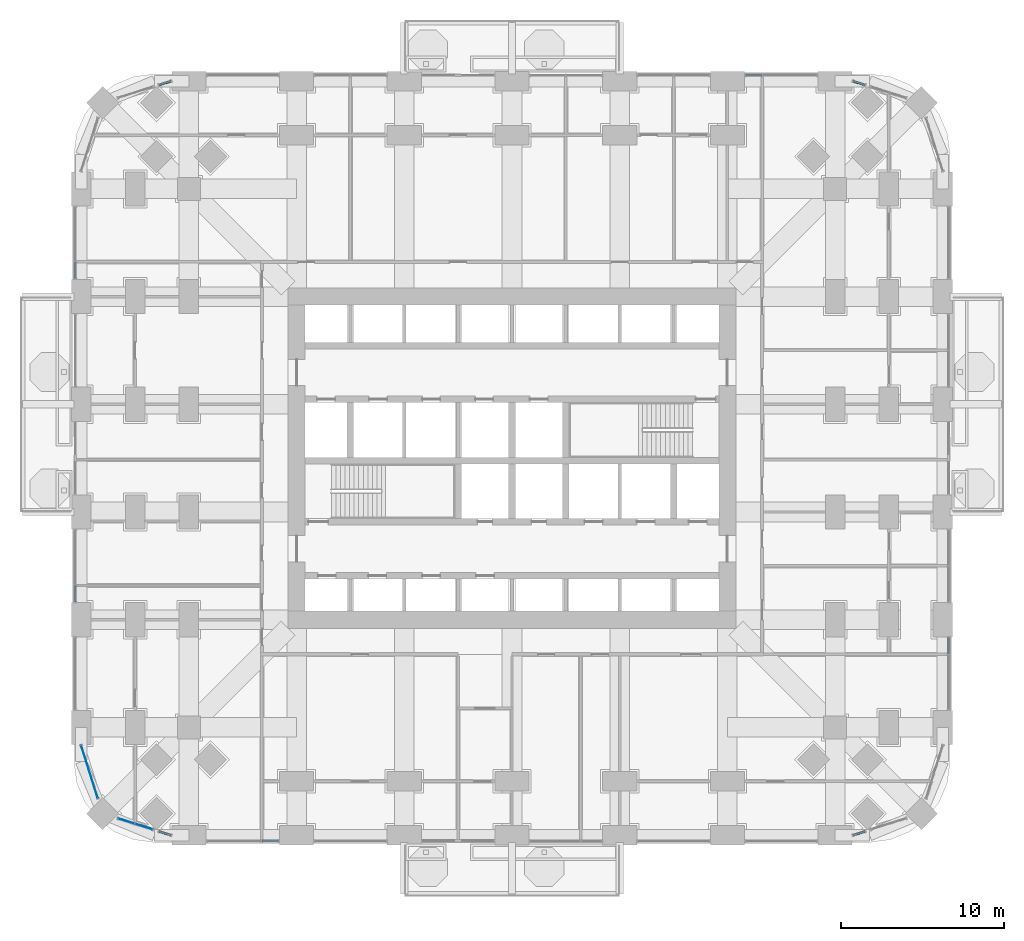
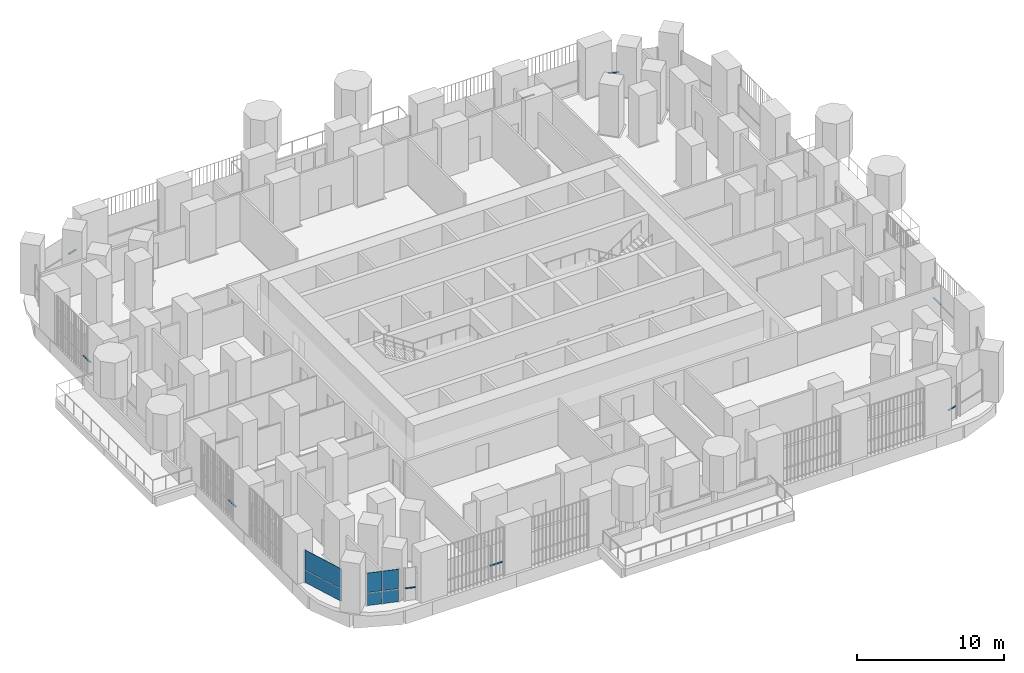
# One storey, part 10 of 26: 9 members, 6 plates, 11 elements without a shape of their own.
"""IFC4 building model written with IfcOpenShell, lengths in metres."""

import ifcopenshell
import ifcopenshell.guid

model = None  # the IFC model being written
_history = None  # IfcOwnerHistory: only IFC2X3 demands one
_inside = {}  # id of a spatial element -> (the spatial element, [elements in it])
_under = {}  # id of a project, library or spatial element -> (it, [spatial elements below it])
_declared = {}  # id of a project -> (the project, [libraries it declares])
_typed = {}  # id of a type object -> (the type object, [elements of that type])
_made_of = {}  # id of a material, layer set ... -> (it, [elements and type objects made of it])


def new_model(schema):
    """Start an empty IFC model of exactly this schema.

    Asked for "IFC4X3", IfcOpenShell would pick the latest addendum, in which some entities
    have other attributes; the version numbers below select the first issue.
    IFC2X3 requires an IfcOwnerHistory on every rooted entity: one is made here for all.
    """
    global model, _history
    if schema == "IFC4X3":
        model = ifcopenshell.file(schema_version=(4, 3, 0, 0))
    else:
        model = ifcopenshell.file(schema=schema)
    _inside.clear()
    _under.clear()
    _declared.clear()
    _typed.clear()
    _made_of.clear()
    _history = None
    if model.schema == "IFC2X3":
        org = make("IfcOrganization", Name="unknown")
        user = make(
            "IfcPersonAndOrganization",
            ThePerson=make("IfcPerson", FamilyName="unknown"),
            TheOrganization=org,
        )
        app = make(
            "IfcApplication",
            ApplicationDeveloper=org,
            Version="unknown",
            ApplicationFullName="unknown",
            ApplicationIdentifier="unknown",
        )
        _history = make(
            "IfcOwnerHistory",
            OwningUser=user,
            OwningApplication=app,
            ChangeAction="ADDED",
            CreationDate=0,
        )
    return model


def make(cls, **values):
    """One entity of the class cls with the attributes given. An attribute that is None is left unset."""
    return model.create_entity(
        cls, **{name: value for name, value in values.items() if value is not None}
    )


def rooted(cls, **values):
    """An entity with a GlobalId (a new one), such as an element, a storey or a relation."""
    return make(cls, GlobalId=ifcopenshell.guid.new(), OwnerHistory=_history, **values)


def si_unit(unit_type, name, prefix=None):
    """IfcSIUnit, for example si_unit("LENGTHUNIT", "METRE", prefix="MILLI")."""
    return make("IfcSIUnit", UnitType=unit_type, Prefix=prefix, Name=name)


def assignment(units):
    """IfcUnitAssignment: the units of a project."""
    return None if units is None else make("IfcUnitAssignment", Units=units)


def point(xyz):
    """IfcCartesianPoint."""
    return None if xyz is None else make("IfcCartesianPoint", Coordinates=xyz)


def direction(xyz):
    """IfcDirection."""
    return None if xyz is None else make("IfcDirection", DirectionRatios=xyz)


def frame(location, z_axis=None, x_axis=None):
    """IfcAxis2Placement3D, a coordinate frame: its origin and axes. An axis left out is left unset."""
    return make(
        "IfcAxis2Placement3D",
        Location=point(location),
        Axis=direction(z_axis),
        RefDirection=direction(x_axis),
    )


def frame_2d(location, x_axis=None):
    """IfcAxis2Placement2D, a coordinate frame in the plane: its origin and x axis."""
    return make(
        "IfcAxis2Placement2D", Location=point(location), RefDirection=direction(x_axis)
    )


def origin():
    """The frame at (0, 0, 0) with its axes left unset."""
    return frame((0.0, 0.0, 0.0))


def origin_2d():
    """The frame at (0, 0) in the plane with its x axis left unset."""
    return frame_2d((0.0, 0.0))


def place(relative_to, where):
    """IfcLocalPlacement: puts the frame where relative to a parent placement (None: the world)."""
    return make(
        "IfcLocalPlacement", PlacementRelTo=relative_to, RelativePlacement=where
    )


def context(
    kind, dimensions, precision=None, world=None, true_north=None, identifier=None
):
    """IfcGeometricRepresentationContext, for example the 3D "Model" context."""
    return make(
        "IfcGeometricRepresentationContext",
        ContextIdentifier=identifier,
        ContextType=kind,
        CoordinateSpaceDimension=dimensions,
        Precision=precision,
        WorldCoordinateSystem=world,
        TrueNorth=true_north,
    )


def subcontext(parent, identifier, kind, view, scale=None):
    """IfcGeometricRepresentationSubContext, for example "Body" below "Model"."""
    return make(
        "IfcGeometricRepresentationSubContext",
        ContextIdentifier=identifier,
        ContextType=kind,
        ParentContext=parent,
        TargetScale=scale,
        TargetView=view,
    )


def project(units=None, contexts=None):
    """IfcProject with its units and contexts."""
    return rooted(
        "IfcProject",
        Name="project",
        RepresentationContexts=contexts,
        UnitsInContext=assignment(units),
    )


def spatial(cls, under=None, at=None, **own):
    """A site, building, storey or space (cls), placed at a placement, below another one or the project."""
    s = rooted(cls, ObjectPlacement=at, **own)
    if under is not None:
        _under.setdefault(under.id(), (under, []))[1].append(s)
    return s


def profile(cls, at=None, kind="AREA", **sizes):
    """A parametric profile (cls). Its sizes go by their IFC names, for example OverallWidth=200.0."""
    return make(cls, ProfileType=kind, Position=at, **sizes)


def rectangle(**sizes):
    """IfcRectangleProfileDef."""
    return profile("IfcRectangleProfileDef", **sizes)


def extrude(swept, where, along, depth):
    """IfcExtrudedAreaSolid: the profile swept, set in the frame where, extruded along a direction by depth."""
    return make(
        "IfcExtrudedAreaSolid",
        SweptArea=swept,
        Position=where,
        ExtrudedDirection=direction(along),
        Depth=depth,
    )


def shape(context_of_items, identifier, shape_type, items):
    """IfcShapeRepresentation: the items that make up one representation, for example the "Body"."""
    return make(
        "IfcShapeRepresentation",
        ContextOfItems=context_of_items,
        RepresentationIdentifier=identifier,
        RepresentationType=shape_type,
        Items=items,
    )


def material(Name=None, Category=None):
    """IfcMaterial."""
    return make("IfcMaterial", Name=Name, Category=Category)


def layer(
    of_material, thickness, ventilated=None, Name=None, Category=None, Priority=None
):
    """IfcMaterialLayer: one layer of a wall or slab, of a material (None: an air gap)."""
    return make(
        "IfcMaterialLayer",
        Material=of_material,
        LayerThickness=thickness,
        IsVentilated=ventilated,
        Name=Name,
        Category=Category,
        Priority=Priority,
    )


def layer_set(layers, Name=None):
    """IfcMaterialLayerSet."""
    return make("IfcMaterialLayerSet", MaterialLayers=layers, LayerSetName=Name)


def material_profile(
    of_material, cross_section, Name=None, Category=None, Priority=None
):
    """IfcMaterialProfile: a cross section and its material."""
    return make(
        "IfcMaterialProfile",
        Name=Name,
        Material=of_material,
        Profile=cross_section,
        Priority=Priority,
        Category=Category,
    )


def profile_set(profiles, Name=None, composite=None):
    """IfcMaterialProfileSet."""
    return make(
        "IfcMaterialProfileSet",
        Name=Name,
        MaterialProfiles=profiles,
        CompositeProfile=composite,
    )


def made_of(thing, what):
    """Note that an element or type object is made of a material, layer set ...; save() writes the relation."""
    if what is not None:
        _made_of.setdefault(what.id(), (what, []))[1].append(thing)
    return thing


def type_object(cls, material=None, **own):
    """A type object (cls), such as IfcWallType, which elements share."""
    return made_of(rooted(cls, **own), material)


def element(
    cls,
    number,
    at=None,
    inside=None,
    cuts=None,
    type_object=None,
    material=None,
    context=None,
    identifier="Body",
    shape_type=None,
    held_by="IfcProductDefinitionShape",
    body=None,
    shapes=None,
    **own,
):
    """One element of the class cls, such as IfcWall. Its Tag is "e" and its number.

    at: its placement. inside: the storey or other place that contains it. cuts: it is an
    opening in that element (IfcRelVoidsElement). A single representation is given by context,
    identifier, shape_type and body (its items); several are given by shapes. held_by: the class
    of the entity that holds the representations. save() writes the other relations.
    """
    e = rooted(cls, Tag="e%d" % number, ObjectPlacement=at, **own)
    if body is not None:
        shapes = [shape(context, identifier, shape_type, body)]
    if shapes is not None:
        e.Representation = make(held_by, Representations=shapes)
    if inside is not None:
        _inside.setdefault(inside.id(), (inside, []))[1].append(e)
    if cuts is not None:
        rooted(
            "IfcRelVoidsElement", RelatingBuildingElement=cuts, RelatedOpeningElement=e
        )
    if type_object is not None:
        _typed.setdefault(type_object.id(), (type_object, []))[1].append(e)
    return made_of(e, material)


def aggregate(whole, parts):
    """IfcRelAggregates: a whole, such as a stair, and the parts it consists of."""
    return rooted("IfcRelAggregates", RelatingObject=whole, RelatedObjects=parts)


def save(model, path):
    """Write the relations noted so far, then the file.

    IfcRelAggregates (storeys below a building ...), IfcRelContainedInSpatialStructure (elements
    in a storey), IfcRelDefinesByType, IfcRelAssociatesMaterial and IfcRelDeclares: one each for
    every whole, place, type object, material and project.
    """
    for whole, parts in _under.values():
        aggregate(whole, parts)
    for where, things in _inside.values():
        rooted(
            "IfcRelContainedInSpatialStructure",
            RelatedElements=things,
            RelatingStructure=where,
        )
    for kind, things in _typed.values():
        rooted("IfcRelDefinesByType", RelatedObjects=things, RelatingType=kind)
    for what, things in _made_of.values():
        rooted("IfcRelAssociatesMaterial", RelatedObjects=things, RelatingMaterial=what)
    for by, libraries in _declared.values():
        rooted("IfcRelDeclares", RelatingContext=by, RelatedDefinitions=libraries)
    model.write(path)


model = new_model("IFC4")

# Units and contexts
model_context = context("Model", 3, precision=1e-05, world=origin(), true_north=direction((0.0, 1.0)))
body_context = subcontext(model_context, "Body", "Model", "MODEL_VIEW")
ifc_project = project(units=[si_unit("LENGTHUNIT", "METRE"), si_unit("AREAUNIT", "SQUARE_METRE"), si_unit("VOLUMEUNIT", "CUBIC_METRE"), si_unit("PLANEANGLEUNIT", "RADIAN"), si_unit("MASSUNIT", "GRAM", prefix="KILO")], contexts=[model_context])

# Site, building, storey
site_placement = place(None, origin())
site = spatial("IfcSite", under=ifc_project, at=site_placement, CompositionType="ELEMENT")
building_placement = place(site_placement, origin())
building = spatial("IfcBuilding", under=site, at=building_placement, Name="Cobogo Forest Laboratory Tower", CompositionType="ELEMENT")
storey_placement = place(building_placement, frame((0.0, 0.0, 50.699951171875)))
storey = spatial("IfcBuildingStorey", under=building, at=storey_placement, Name="L11", CompositionType="ELEMENT", Elevation=50.699951171875)

# Curtain wall, member
ifc_material_1 = material(Name="Aluminium curtain wall", Category="aluminium")
curtain_wall_type = type_object("IfcCurtainWallType", Name="CW-1 unitised curtain wall, clear glazing, laboratory floors zones A and B", PredefinedType="USERDEFINED", material=ifc_material_1)
curtain_wall_1_placement = place(storey_placement, origin())
curtain_wall_1 = element("IfcCurtainWall", 1, at=curtain_wall_1_placement, inside=storey, type_object=curtain_wall_type, Name="Curtain wall 01 L11", ObjectType="UNITISED CURTAIN WALL", PredefinedType="USERDEFINED")
ifc_material_2 = material(Name="Aluminium transom", Category="aluminium")
ifc_material_profile = material_profile(ifc_material_2, rectangle(XDim=0.1201171875, YDim=0.06005859375, at=origin_2d()), Name="AL 60x120")
ifc_profile_set = profile_set([ifc_material_profile], Name="Aluminium transom")
member_type = type_object("IfcMemberType", Name="TR-1 aluminium transom 60x120", PredefinedType="USERDEFINED", material=ifc_profile_set)
member_1_placement = place(storey_placement, frame((11.10498046875, -0.35009765625, 1.050048828125), z_axis=(1.0, 0.0, 0.0), x_axis=(0.0, 1.0, 0.0)))
member_1 = element("IfcMember", 2, at=member_1_placement, type_object=member_type, Name="CW-1 transom 2.1", ObjectType="TRANSOM", PredefinedType="USERDEFINED", context=body_context, shape_type="SweptSolid", body=[
    extrude(rectangle(XDim=0.1201171875, YDim=0.06005859375, at=origin_2d()), origin(), (0.0, 0.0, 1.0), 0.985107421875),
])
aggregate(curtain_wall_1, [member_1])

curtain_wall_2_placement = place(storey_placement, origin())
curtain_wall_2 = element("IfcCurtainWall", 3, at=curtain_wall_2_placement, inside=storey, type_object=curtain_wall_type, Name="Curtain wall 07 L11", ObjectType="UNITISED CURTAIN WALL", PredefinedType="USERDEFINED")
member_2_placement = place(storey_placement, frame((47.30712890625, -0.000244140625, 1.050048828125), z_axis=(0.95359247203, 0.301100311005, 0.0), x_axis=(-0.301100311005, 0.95359247203, 0.0)))
member_2 = element("IfcMember", 4, at=member_2_placement, type_object=member_type, Name="CW-1 transom 1.1", ObjectType="TRANSOM", PredefinedType="USERDEFINED", context=body_context, shape_type="SweptSolid", body=[
    extrude(rectangle(XDim=0.1201171875, YDim=0.06005859375, at=origin_2d()), origin(), (0.0, 0.0, 1.0), 0.75244140625),
])
aggregate(curtain_wall_2, [member_2])

curtain_wall_3_placement = place(storey_placement, origin())
curtain_wall_3 = element("IfcCurtainWall", 5, at=curtain_wall_3_placement, inside=storey, type_object=curtain_wall_type, Name="Curtain wall 10 L11", ObjectType="UNITISED CURTAIN WALL", PredefinedType="USERDEFINED")
member_3_placement = place(storey_placement, frame((53.14990234375, 11.10498046875, 1.050048828125), z_axis=(0.0, 1.0, 0.0), x_axis=(-1.0, 0.0, 0.0)))
member_3 = element("IfcMember", 6, at=member_3_placement, type_object=member_type, Name="CW-1 transom 2.1", ObjectType="TRANSOM", PredefinedType="USERDEFINED", context=body_context, shape_type="SweptSolid", body=[
    extrude(rectangle(XDim=0.1201171875, YDim=0.06005859375, at=origin_2d()), origin(), (0.0, 0.0, 1.0), 0.985107421875),
])
aggregate(curtain_wall_3, [member_3])

curtain_wall_4_placement = place(storey_placement, origin())
curtain_wall_4 = element("IfcCurtainWall", 7, at=curtain_wall_4_placement, inside=storey, type_object=curtain_wall_type, Name="Curtain wall 17 L11", ObjectType="UNITISED CURTAIN WALL", PredefinedType="USERDEFINED")
member_4_placement = place(storey_placement, frame((48.024658203125, 45.973876953125, 1.050048828125), z_axis=(-0.95359247203, 0.301100311005, 0.0), x_axis=(-0.301100311005, -0.95359247203, 0.0)))
member_4 = element("IfcMember", 8, at=member_4_placement, type_object=member_type, Name="CW-1 transom 1.1", ObjectType="TRANSOM", PredefinedType="USERDEFINED", context=body_context, shape_type="SweptSolid", body=[
    extrude(rectangle(XDim=0.1201171875, YDim=0.06005859375, at=origin_2d()), origin(), (0.0, 0.0, 1.0), 0.75244140625),
])
aggregate(curtain_wall_4, [member_4])

curtain_wall_5_placement = place(storey_placement, origin())
curtain_wall_5 = element("IfcCurtainWall", 9, at=curtain_wall_5_placement, inside=storey, type_object=curtain_wall_type, Name="Curtain wall 18 L11", ObjectType="UNITISED CURTAIN WALL", PredefinedType="USERDEFINED")
member_5_placement = place(storey_placement, frame((41.695068359375, 46.550048828125, 1.050048828125), z_axis=(-1.0, 0.0, 0.0), x_axis=(0.0, -1.0, 0.0)))
member_5 = element("IfcMember", 10, at=member_5_placement, type_object=member_type, Name="CW-1 transom 2.1", ObjectType="TRANSOM", PredefinedType="USERDEFINED", context=body_context, shape_type="SweptSolid", body=[
    extrude(rectangle(XDim=0.1201171875, YDim=0.06005859375, at=origin_2d()), origin(), (0.0, 0.0, 1.0), 0.985107421875),
])
aggregate(curtain_wall_5, [member_5])

curtain_wall_6_placement = place(storey_placement, origin())
curtain_wall_6 = element("IfcCurtainWall", 11, at=curtain_wall_6_placement, inside=storey, type_object=curtain_wall_type, Name="Curtain wall 24 L11", ObjectType="UNITISED CURTAIN WALL", PredefinedType="USERDEFINED")
member_6_placement = place(storey_placement, frame((5.49267578125, 46.200439453125, 1.050048828125), z_axis=(-0.953563042236, -0.301193500066, 0.0), x_axis=(0.301193500066, -0.953563042236, 0.0)))
member_6 = element("IfcMember", 12, at=member_6_placement, type_object=member_type, Name="CW-1 transom 1.1", ObjectType="TRANSOM", PredefinedType="USERDEFINED", context=body_context, shape_type="SweptSolid", body=[
    extrude(rectangle(XDim=0.1201171875, YDim=0.06005859375, at=origin_2d()), origin(), (0.0, 0.0, 1.0), 0.752197265625),
])
aggregate(curtain_wall_6, [member_6])

curtain_wall_7_placement = place(storey_placement, origin())
curtain_wall_7 = element("IfcCurtainWall", 13, at=curtain_wall_7_placement, inside=storey, type_object=curtain_wall_type, Name="Curtain wall 27 L11", ObjectType="UNITISED CURTAIN WALL", PredefinedType="USERDEFINED")
member_7_placement = place(storey_placement, frame((-0.35009765625, 35.094970703125, 1.050048828125), z_axis=(0.0, -1.0, 0.0), x_axis=(1.0, 0.0, 0.0)))
member_7 = element("IfcMember", 14, at=member_7_placement, type_object=member_type, Name="CW-1 transom 2.1", ObjectType="TRANSOM", PredefinedType="USERDEFINED", context=body_context, shape_type="SweptSolid", body=[
    extrude(rectangle(XDim=0.1201171875, YDim=0.06005859375, at=origin_2d()), origin(), (0.0, 0.0, 1.0), 0.98486328125),
])
aggregate(curtain_wall_7, [member_7])

curtain_wall_8_placement = place(storey_placement, origin())
curtain_wall_8 = element("IfcCurtainWall", 15, at=curtain_wall_8_placement, inside=storey, type_object=curtain_wall_type, Name="Curtain wall 30 L11", ObjectType="UNITISED CURTAIN WALL", PredefinedType="USERDEFINED")
member_8_placement = place(storey_placement, frame((-0.35009765625, 15.27001953125, 1.050048828125), z_axis=(0.0, -1.0, 0.0), x_axis=(1.0, 0.0, 0.0)))
member_8 = element("IfcMember", 16, at=member_8_placement, type_object=member_type, Name="CW-1 transom 2.1", ObjectType="TRANSOM", PredefinedType="USERDEFINED", context=body_context, shape_type="SweptSolid", body=[
    extrude(rectangle(XDim=0.1201171875, YDim=0.06005859375, at=origin_2d()), origin(), (0.0, 0.0, 1.0), 0.9599609375),
])
aggregate(curtain_wall_8, [member_8])

curtain_wall_9_placement = place(storey_placement, origin())
curtain_wall_9 = element("IfcCurtainWall", 17, at=curtain_wall_9_placement, inside=storey, type_object=curtain_wall_type, Name="Curtain wall 34 L11", ObjectType="UNITISED CURTAIN WALL", PredefinedType="USERDEFINED")
member_9_placement = place(storey_placement, frame((4.775390625, 0.226318359375, 1.050048828125), z_axis=(0.953563042236, -0.301193500066, 0.0), x_axis=(0.301193500066, 0.953563042236, 0.0)))
member_9 = element("IfcMember", 18, at=member_9_placement, type_object=member_type, Name="CW-1 transom 1.1", ObjectType="TRANSOM", PredefinedType="USERDEFINED", context=body_context, shape_type="SweptSolid", body=[
    extrude(rectangle(XDim=0.1201171875, YDim=0.06005859375, at=origin_2d()), origin(), (0.0, 0.0, 1.0), 0.752197265625),
])
aggregate(curtain_wall_9, [member_9])

# Curtain wall, plates
curtain_wall_10_placement = place(storey_placement, origin())
curtain_wall_10 = element("IfcCurtainWall", 19, at=curtain_wall_10_placement, inside=storey, type_object=curtain_wall_type, Name="Curtain wall 32 L11", ObjectType="UNITISED CURTAIN WALL", PredefinedType="USERDEFINED")
ifc_material_3 = material(Name="Clear insulated glass", Category="glass")
ifc_layer = layer(ifc_material_3, 0.028076171875)
ifc_layer_set = layer_set([ifc_layer], Name="GP-1 clear insulated glass unit 28")
plate_type = type_object("IfcPlateType", Name="GP-1 clear insulated glass unit 28", PredefinedType="CURTAIN_PANEL", material=ifc_layer_set)
plate_1_placement = place(storey_placement, frame((0.509033203125, 3.880126953125, 0.0), z_axis=(0.0, 0.0, 1.0), x_axis=(0.30113535792, -0.95358140513, 0.0)))
plate_1 = element("IfcPlate", 20, at=plate_1_placement, type_object=plate_type, Name="CW-1 panel 1.1", PredefinedType="CURTAIN_PANEL", context=body_context, shape_type="SweptSolid", body=[
    extrude(rectangle(XDim=3.382568359375, YDim=0.028076171875, at=origin_2d()), origin(), (0.0, 0.0, 1.0), 1.02001953125),
])
plate_2_placement = place(storey_placement, frame((0.509033203125, 3.880126953125, 1.080078125), z_axis=(0.0, 0.0, 1.0), x_axis=(0.30113535792, -0.95358140513, 0.0)))
plate_2 = element("IfcPlate", 21, at=plate_2_placement, type_object=plate_type, Name="CW-1 panel 1.2", PredefinedType="CURTAIN_PANEL", context=body_context, shape_type="SweptSolid", body=[
    extrude(rectangle(XDim=3.382568359375, YDim=0.028076171875, at=origin_2d()), origin(), (0.0, 0.0, 1.0), 1.6201171875),
])
aggregate(curtain_wall_10, [plate_1, plate_2])

curtain_wall_11_placement = place(storey_placement, origin())
curtain_wall_11 = element("IfcCurtainWall", 22, at=curtain_wall_11_placement, inside=storey, type_object=curtain_wall_type, Name="Curtain wall 33 L11", ObjectType="UNITISED CURTAIN WALL", PredefinedType="USERDEFINED")
plate_3_placement = place(storey_placement, frame((2.75732421875, 0.863525390625, 0.0), z_axis=(0.0, 0.0, 1.0), x_axis=(0.953581409645, -0.301135343623, 0.0)))
plate_3 = element("IfcPlate", 23, at=plate_3_placement, type_object=plate_type, Name="CW-1 panel 1.1", PredefinedType="CURTAIN_PANEL", context=body_context, shape_type="SweptSolid", body=[
    extrude(rectangle(XDim=1.027587890625, YDim=0.028076171875, at=origin_2d()), origin(), (0.0, 0.0, 1.0), 1.02001953125),
])
plate_4_placement = place(storey_placement, frame((2.75732421875, 0.863525390625, 1.080078125), z_axis=(0.0, 0.0, 1.0), x_axis=(0.953581409645, -0.301135343623, 0.0)))
plate_4 = element("IfcPlate", 24, at=plate_4_placement, type_object=plate_type, Name="CW-1 panel 1.2", PredefinedType="CURTAIN_PANEL", context=body_context, shape_type="SweptSolid", body=[
    extrude(rectangle(XDim=1.027587890625, YDim=0.028076171875, at=origin_2d()), origin(), (0.0, 0.0, 1.0), 1.6201171875),
])
plate_5_placement = place(storey_placement, frame((3.83642578125, 0.522705078125, 0.0), z_axis=(0.0, 0.0, 1.0), x_axis=(0.953581409645, -0.301135343623, 0.0)))
plate_5 = element("IfcPlate", 25, at=plate_5_placement, type_object=plate_type, Name="CW-1 panel 2.1", PredefinedType="CURTAIN_PANEL", context=body_context, shape_type="SweptSolid", body=[
    extrude(rectangle(XDim=1.11572265625, YDim=0.028076171875, at=origin_2d()), origin(), (0.0, 0.0, 1.0), 1.02001953125),
])
plate_6_placement = place(storey_placement, frame((3.83642578125, 0.522705078125, 1.080078125), z_axis=(0.0, 0.0, 1.0), x_axis=(0.953581409645, -0.301135343623, 0.0)))
plate_6 = element("IfcPlate", 26, at=plate_6_placement, type_object=plate_type, Name="CW-1 panel 2.2", PredefinedType="CURTAIN_PANEL", context=body_context, shape_type="SweptSolid", body=[
    extrude(rectangle(XDim=1.11572265625, YDim=0.028076171875, at=origin_2d()), origin(), (0.0, 0.0, 1.0), 1.6201171875),
])
aggregate(curtain_wall_11, [plate_3, plate_4, plate_5, plate_6])

save(model, "model.ifc")
